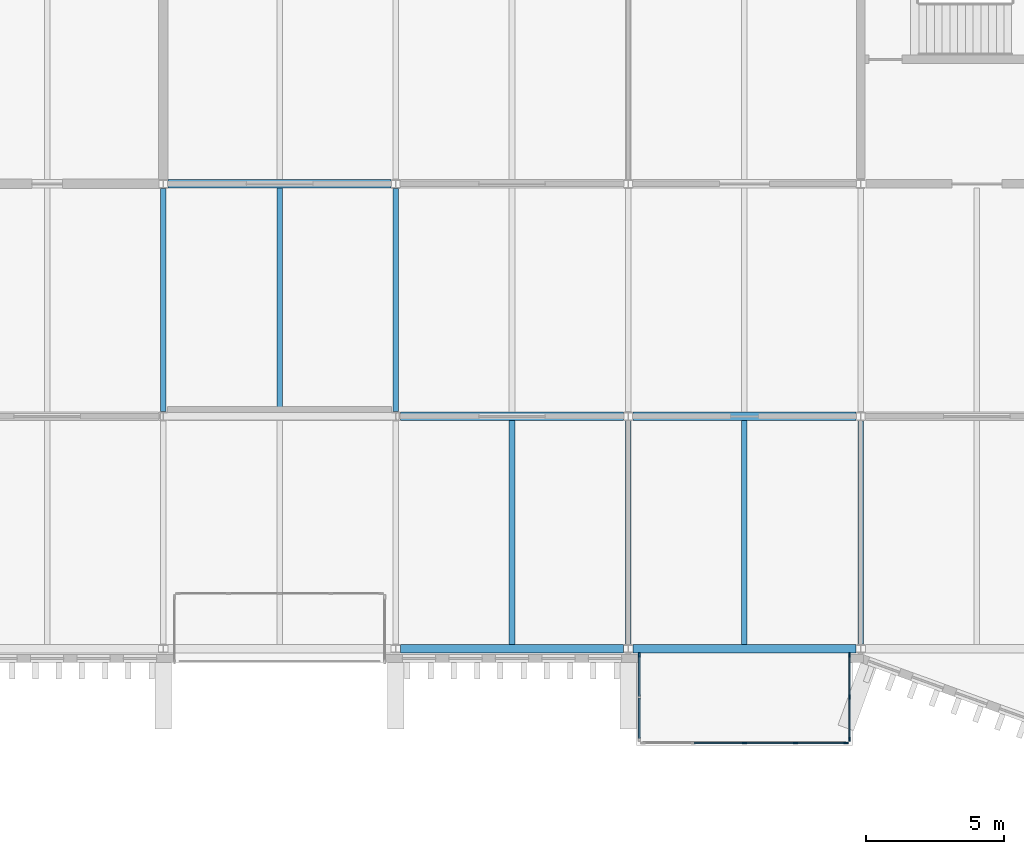
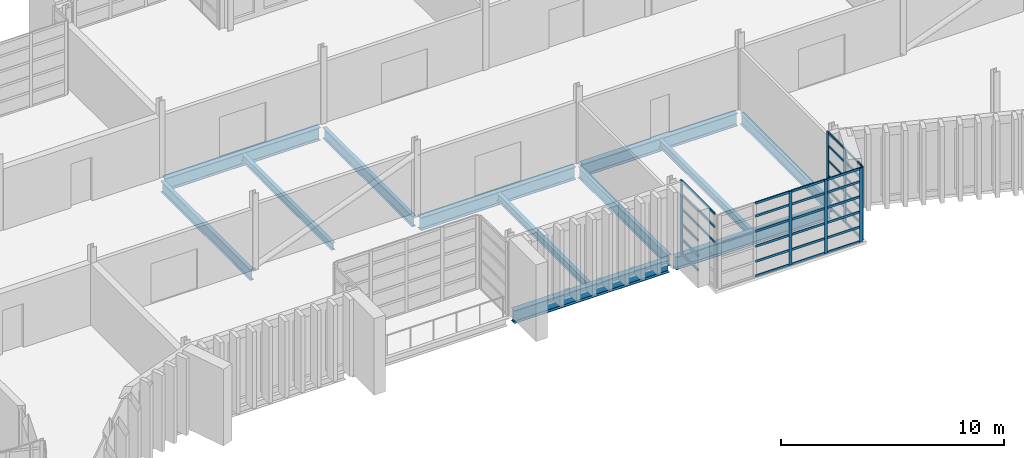
# One storey, part 23 of 100: 46 members, 12 beams, 3 elements without a shape of their own.
"""IFC4 building model written with IfcOpenShell, lengths in metres."""

from ifc_helpers import new_model, si_unit, direction, frame, origin, origin_2d, place, context, subcontext, project, spatial, rectangle, i_section, extrude, material, layer, layer_set, material_profile, profile_set, type_object, element, aggregate, save


model = new_model("IFC4")

# Units and contexts
model_context = context("Model", 3, precision=1e-05, world=origin(), true_north=direction((0.0, 1.0)))
body_context = subcontext(model_context, "Body", "Model", "MODEL_VIEW")
ifc_project = project(units=[si_unit("LENGTHUNIT", "METRE"), si_unit("AREAUNIT", "SQUARE_METRE"), si_unit("VOLUMEUNIT", "CUBIC_METRE"), si_unit("PLANEANGLEUNIT", "RADIAN"), si_unit("MASSUNIT", "GRAM", prefix="KILO")], contexts=[model_context])

# Site, building, storey
site_placement = place(None, origin())
site = spatial("IfcSite", under=ifc_project, at=site_placement, CompositionType="ELEMENT")
building_placement = place(site_placement, origin())
building = spatial("IfcBuilding", under=site, at=building_placement, Name="Cresset Court Congress Hotel", CompositionType="ELEMENT")
storey_placement = place(building_placement, frame((0.0, 0.0, 10.199951171875)))
storey = spatial("IfcBuildingStorey", under=building, at=storey_placement, Name="L02", CompositionType="ELEMENT", Elevation=10.199951171875)

# Curtain wall, members
ifc_material_1 = material(Name="Aluminium frame with double glazing", Category="aluminium")
ifc_layer = layer(ifc_material_1, 0.199951171875)
ifc_layer_set = layer_set([ifc_layer], Name="Glazed box curtain wall 1680 module")
curtain_wall_type = type_object("IfcCurtainWallType", Name="Glazed box curtain wall 1680 module", PredefinedType="NOTDEFINED", material=ifc_layer_set)
curtain_wall_1_placement = place(storey_placement, origin())
curtain_wall_1 = element("IfcCurtainWall", 1, at=curtain_wall_1_placement, inside=storey, type_object=curtain_wall_type, Name="Glazed box S0213 front", PredefinedType="NOTDEFINED")
ifc_material_2 = material(Name="Aluminium", Category="aluminium")
ifc_material_profile_1 = material_profile(ifc_material_2, rectangle(XDim=0.06005859375, YDim=0.159912109375, at=origin_2d()), Name="Box mullion 60x160")
ifc_profile_set_1 = profile_set([ifc_material_profile_1], Name="Aluminium")
member_type_1 = type_object("IfcMemberType", Name="Box mullion 60x160", PredefinedType="MULLION", material=ifc_profile_set_1)
member_1_placement = place(storey_placement, frame((96.60009765625, -3.39990234375, 0.0), z_axis=(0.0, 0.0, 1.0), x_axis=(0.0, 1.0, 0.0)))
member_1 = element("IfcMember", 2, at=member_1_placement, type_object=member_type_1, Name="B-X1 mullion 3", PredefinedType="MULLION", context=body_context, shape_type="SweptSolid", body=[
    extrude(rectangle(XDim=0.06005859375, YDim=0.159912109375, at=origin_2d()), origin(), (0.0, 0.0, 1.0), 4.050048828125),
])
member_2_placement = place(storey_placement, frame((98.449951171875, -3.39990234375, 0.0), z_axis=(0.0, 0.0, 1.0), x_axis=(0.0, 1.0, 0.0)))
member_2 = element("IfcMember", 3, at=member_2_placement, type_object=member_type_1, Name="B-X1 mullion 4", PredefinedType="MULLION", context=body_context, shape_type="SweptSolid", body=[
    extrude(rectangle(XDim=0.06005859375, YDim=0.159912109375, at=origin_2d()), origin(), (0.0, 0.0, 1.0), 4.050048828125),
])
member_3_placement = place(storey_placement, frame((100.27001953125, -3.39990234375, 0.0), z_axis=(0.0, 0.0, 1.0), x_axis=(0.0, 1.0, 0.0)))
member_3 = element("IfcMember", 4, at=member_3_placement, type_object=member_type_1, Name="B-X1 mullion 5", PredefinedType="MULLION", context=body_context, shape_type="SweptSolid", body=[
    extrude(rectangle(XDim=0.06005859375, YDim=0.159912109375, at=origin_2d()), origin(), (0.0, 0.0, 1.0), 4.050048828125),
])

# Curtain wall, member
curtain_wall_2_placement = place(storey_placement, origin())
curtain_wall_2 = element("IfcCurtainWall", 5, at=curtain_wall_2_placement, inside=storey, type_object=curtain_wall_type, Name="Glazed box S0213 side", PredefinedType="NOTDEFINED")
member_4_placement = place(storey_placement, frame((92.800048828125, -0.22998046875, 0.0), z_axis=(0.0, 0.0, 1.0), x_axis=(1.0, 0.0, 0.0)))
member_4 = element("IfcMember", 6, at=member_4_placement, type_object=member_type_1, Name="B-X1 mullion 1", PredefinedType="MULLION", context=body_context, shape_type="SweptSolid", body=[
    extrude(rectangle(XDim=0.06005859375, YDim=0.159912109375, at=origin_2d()), origin(), (0.0, 0.0, 1.0), 4.050048828125),
])

# Curtain wall, members
curtain_wall_3_placement = place(storey_placement, origin())
curtain_wall_3 = element("IfcCurtainWall", 7, at=curtain_wall_3_placement, inside=storey, type_object=curtain_wall_type, Name="Glazed box S0213 side", PredefinedType="NOTDEFINED")
member_5_placement = place(storey_placement, frame((100.39990234375, -0.22998046875, 0.0), z_axis=(0.0, 0.0, 1.0), x_axis=(1.0, 0.0, 0.0)))
member_5 = element("IfcMember", 8, at=member_5_placement, type_object=member_type_1, Name="B-X1 mullion 1", PredefinedType="MULLION", context=body_context, shape_type="SweptSolid", body=[
    extrude(rectangle(XDim=0.06005859375, YDim=0.159912109375, at=origin_2d()), origin(), (0.0, 0.0, 1.0), 4.050048828125),
])
member_6_placement = place(storey_placement, frame((100.39990234375, -1.75, 0.0), z_axis=(0.0, 0.0, 1.0), x_axis=(1.0, 0.0, 0.0)))
member_6 = element("IfcMember", 9, at=member_6_placement, type_object=member_type_1, Name="B-X1 mullion 2", PredefinedType="MULLION", context=body_context, shape_type="SweptSolid", body=[
    extrude(rectangle(XDim=0.06005859375, YDim=0.159912109375, at=origin_2d()), origin(), (0.0, 0.0, 1.0), 4.050048828125),
])
member_7_placement = place(storey_placement, frame((100.39990234375, -3.27001953125, 0.0), z_axis=(0.0, 0.0, 1.0), x_axis=(1.0, 0.0, 0.0)))
member_7 = element("IfcMember", 10, at=member_7_placement, type_object=member_type_1, Name="B-X1 mullion 3", PredefinedType="MULLION", context=body_context, shape_type="SweptSolid", body=[
    extrude(rectangle(XDim=0.06005859375, YDim=0.159912109375, at=origin_2d()), origin(), (0.0, 0.0, 1.0), 4.050048828125),
])

# Member
ifc_material_3 = material(Name="Aluminium", Category="aluminium")
ifc_material_profile_2 = material_profile(ifc_material_3, rectangle(XDim=0.06005859375, YDim=0.1201171875, at=origin_2d()), Name="Box transom 60x120")
ifc_profile_set_2 = profile_set([ifc_material_profile_2], Name="Aluminium")
member_type_2 = type_object("IfcMemberType", Name="Box transom 60x120", PredefinedType="USERDEFINED", material=ifc_profile_set_2)
member_8_placement = place(storey_placement, frame((94.780029296875, -3.39990234375, 0.030029296875), z_axis=(1.0, 0.0, 0.0), x_axis=(0.0, 1.0, 0.0)))
member_8 = element("IfcMember", 11, at=member_8_placement, type_object=member_type_2, Name="B-X1 transom 2.1", ObjectType="TRANSOM", PredefinedType="USERDEFINED", context=body_context, shape_type="SweptSolid", body=[
    extrude(rectangle(XDim=0.06005859375, YDim=0.1201171875, at=origin_2d()), origin(), (0.0, 0.0, 1.0), 1.7900390625),
])

member_9_placement = place(storey_placement, frame((94.780029296875, -3.39990234375, 0.830078125), z_axis=(1.0, 0.0, 0.0), x_axis=(0.0, 1.0, 0.0)))
member_9 = element("IfcMember", 12, at=member_9_placement, type_object=member_type_2, Name="B-X1 transom 2.2", ObjectType="TRANSOM", PredefinedType="USERDEFINED", context=body_context, shape_type="SweptSolid", body=[
    extrude(rectangle(XDim=0.06005859375, YDim=0.1201171875, at=origin_2d()), origin(), (0.0, 0.0, 1.0), 1.7900390625),
])

member_10_placement = place(storey_placement, frame((94.780029296875, -3.39990234375, 1.66015625), z_axis=(1.0, 0.0, 0.0), x_axis=(0.0, 1.0, 0.0)))
member_10 = element("IfcMember", 13, at=member_10_placement, type_object=member_type_2, Name="B-X1 transom 2.3", ObjectType="TRANSOM", PredefinedType="USERDEFINED", context=body_context, shape_type="SweptSolid", body=[
    extrude(rectangle(XDim=0.06005859375, YDim=0.1201171875, at=origin_2d()), origin(), (0.0, 0.0, 1.0), 1.7900390625),
])

member_11_placement = place(storey_placement, frame((94.780029296875, -3.39990234375, 2.489990234375), z_axis=(1.0, 0.0, 0.0), x_axis=(0.0, 1.0, 0.0)))
member_11 = element("IfcMember", 14, at=member_11_placement, type_object=member_type_2, Name="B-X1 transom 2.4", ObjectType="TRANSOM", PredefinedType="USERDEFINED", context=body_context, shape_type="SweptSolid", body=[
    extrude(rectangle(XDim=0.06005859375, YDim=0.1201171875, at=origin_2d()), origin(), (0.0, 0.0, 1.0), 1.7900390625),
])

member_12_placement = place(storey_placement, frame((94.780029296875, -3.39990234375, 3.320068359375), z_axis=(1.0, 0.0, 0.0), x_axis=(0.0, 1.0, 0.0)))
member_12 = element("IfcMember", 15, at=member_12_placement, type_object=member_type_2, Name="B-X1 transom 2.5", ObjectType="TRANSOM", PredefinedType="USERDEFINED", context=body_context, shape_type="SweptSolid", body=[
    extrude(rectangle(XDim=0.06005859375, YDim=0.1201171875, at=origin_2d()), origin(), (0.0, 0.0, 1.0), 1.7900390625),
])

member_13_placement = place(storey_placement, frame((94.780029296875, -3.39990234375, 4.02001953125), z_axis=(1.0, 0.0, 0.0), x_axis=(0.0, 1.0, 0.0)))
member_13 = element("IfcMember", 16, at=member_13_placement, type_object=member_type_2, Name="B-X1 transom 2.6", ObjectType="TRANSOM", PredefinedType="USERDEFINED", context=body_context, shape_type="SweptSolid", body=[
    extrude(rectangle(XDim=0.06005859375, YDim=0.1201171875, at=origin_2d()), origin(), (0.0, 0.0, 1.0), 1.7900390625),
])

member_14_placement = place(storey_placement, frame((96.6298828125, -3.39990234375, 0.030029296875), z_axis=(1.0, 0.0, 0.0), x_axis=(0.0, 1.0, 0.0)))
member_14 = element("IfcMember", 17, at=member_14_placement, type_object=member_type_2, Name="B-X1 transom 3.1", ObjectType="TRANSOM", PredefinedType="USERDEFINED", context=body_context, shape_type="SweptSolid", body=[
    extrude(rectangle(XDim=0.06005859375, YDim=0.1201171875, at=origin_2d()), origin(), (0.0, 0.0, 1.0), 1.7900390625),
])

member_15_placement = place(storey_placement, frame((96.6298828125, -3.39990234375, 0.830078125), z_axis=(1.0, 0.0, 0.0), x_axis=(0.0, 1.0, 0.0)))
member_15 = element("IfcMember", 18, at=member_15_placement, type_object=member_type_2, Name="B-X1 transom 3.2", ObjectType="TRANSOM", PredefinedType="USERDEFINED", context=body_context, shape_type="SweptSolid", body=[
    extrude(rectangle(XDim=0.06005859375, YDim=0.1201171875, at=origin_2d()), origin(), (0.0, 0.0, 1.0), 1.7900390625),
])

member_16_placement = place(storey_placement, frame((96.6298828125, -3.39990234375, 1.66015625), z_axis=(1.0, 0.0, 0.0), x_axis=(0.0, 1.0, 0.0)))
member_16 = element("IfcMember", 19, at=member_16_placement, type_object=member_type_2, Name="B-X1 transom 3.3", ObjectType="TRANSOM", PredefinedType="USERDEFINED", context=body_context, shape_type="SweptSolid", body=[
    extrude(rectangle(XDim=0.06005859375, YDim=0.1201171875, at=origin_2d()), origin(), (0.0, 0.0, 1.0), 1.7900390625),
])

member_17_placement = place(storey_placement, frame((96.6298828125, -3.39990234375, 2.489990234375), z_axis=(1.0, 0.0, 0.0), x_axis=(0.0, 1.0, 0.0)))
member_17 = element("IfcMember", 20, at=member_17_placement, type_object=member_type_2, Name="B-X1 transom 3.4", ObjectType="TRANSOM", PredefinedType="USERDEFINED", context=body_context, shape_type="SweptSolid", body=[
    extrude(rectangle(XDim=0.06005859375, YDim=0.1201171875, at=origin_2d()), origin(), (0.0, 0.0, 1.0), 1.7900390625),
])

member_18_placement = place(storey_placement, frame((96.6298828125, -3.39990234375, 3.320068359375), z_axis=(1.0, 0.0, 0.0), x_axis=(0.0, 1.0, 0.0)))
member_18 = element("IfcMember", 21, at=member_18_placement, type_object=member_type_2, Name="B-X1 transom 3.5", ObjectType="TRANSOM", PredefinedType="USERDEFINED", context=body_context, shape_type="SweptSolid", body=[
    extrude(rectangle(XDim=0.06005859375, YDim=0.1201171875, at=origin_2d()), origin(), (0.0, 0.0, 1.0), 1.7900390625),
])

member_19_placement = place(storey_placement, frame((96.6298828125, -3.39990234375, 4.02001953125), z_axis=(1.0, 0.0, 0.0), x_axis=(0.0, 1.0, 0.0)))
member_19 = element("IfcMember", 22, at=member_19_placement, type_object=member_type_2, Name="B-X1 transom 3.6", ObjectType="TRANSOM", PredefinedType="USERDEFINED", context=body_context, shape_type="SweptSolid", body=[
    extrude(rectangle(XDim=0.06005859375, YDim=0.1201171875, at=origin_2d()), origin(), (0.0, 0.0, 1.0), 1.7900390625),
])

member_20_placement = place(storey_placement, frame((98.47998046875, -3.39990234375, 0.030029296875), z_axis=(1.0, 0.0, 0.0), x_axis=(0.0, 1.0, 0.0)))
member_20 = element("IfcMember", 23, at=member_20_placement, type_object=member_type_2, Name="B-X1 transom 4.1", ObjectType="TRANSOM", PredefinedType="USERDEFINED", context=body_context, shape_type="SweptSolid", body=[
    extrude(rectangle(XDim=0.06005859375, YDim=0.1201171875, at=origin_2d()), origin(), (0.0, 0.0, 1.0), 1.760009765625),
])

member_21_placement = place(storey_placement, frame((98.47998046875, -3.39990234375, 0.830078125), z_axis=(1.0, 0.0, 0.0), x_axis=(0.0, 1.0, 0.0)))
member_21 = element("IfcMember", 24, at=member_21_placement, type_object=member_type_2, Name="B-X1 transom 4.2", ObjectType="TRANSOM", PredefinedType="USERDEFINED", context=body_context, shape_type="SweptSolid", body=[
    extrude(rectangle(XDim=0.06005859375, YDim=0.1201171875, at=origin_2d()), origin(), (0.0, 0.0, 1.0), 1.760009765625),
])

member_22_placement = place(storey_placement, frame((98.47998046875, -3.39990234375, 1.66015625), z_axis=(1.0, 0.0, 0.0), x_axis=(0.0, 1.0, 0.0)))
member_22 = element("IfcMember", 25, at=member_22_placement, type_object=member_type_2, Name="B-X1 transom 4.3", ObjectType="TRANSOM", PredefinedType="USERDEFINED", context=body_context, shape_type="SweptSolid", body=[
    extrude(rectangle(XDim=0.06005859375, YDim=0.1201171875, at=origin_2d()), origin(), (0.0, 0.0, 1.0), 1.760009765625),
])

member_23_placement = place(storey_placement, frame((98.47998046875, -3.39990234375, 2.489990234375), z_axis=(1.0, 0.0, 0.0), x_axis=(0.0, 1.0, 0.0)))
member_23 = element("IfcMember", 26, at=member_23_placement, type_object=member_type_2, Name="B-X1 transom 4.4", ObjectType="TRANSOM", PredefinedType="USERDEFINED", context=body_context, shape_type="SweptSolid", body=[
    extrude(rectangle(XDim=0.06005859375, YDim=0.1201171875, at=origin_2d()), origin(), (0.0, 0.0, 1.0), 1.760009765625),
])

member_24_placement = place(storey_placement, frame((98.47998046875, -3.39990234375, 3.320068359375), z_axis=(1.0, 0.0, 0.0), x_axis=(0.0, 1.0, 0.0)))
member_24 = element("IfcMember", 27, at=member_24_placement, type_object=member_type_2, Name="B-X1 transom 4.5", ObjectType="TRANSOM", PredefinedType="USERDEFINED", context=body_context, shape_type="SweptSolid", body=[
    extrude(rectangle(XDim=0.06005859375, YDim=0.1201171875, at=origin_2d()), origin(), (0.0, 0.0, 1.0), 1.760009765625),
])

member_25_placement = place(storey_placement, frame((98.47998046875, -3.39990234375, 4.02001953125), z_axis=(1.0, 0.0, 0.0), x_axis=(0.0, 1.0, 0.0)))
member_25 = element("IfcMember", 28, at=member_25_placement, type_object=member_type_2, Name="B-X1 transom 4.6", ObjectType="TRANSOM", PredefinedType="USERDEFINED", context=body_context, shape_type="SweptSolid", body=[
    extrude(rectangle(XDim=0.06005859375, YDim=0.1201171875, at=origin_2d()), origin(), (0.0, 0.0, 1.0), 1.760009765625),
])

aggregate(curtain_wall_1, [member_1, member_2, member_3, member_8, member_9, member_10, member_11, member_12, member_13, member_14, member_15, member_16, member_17, member_18, member_19, member_20, member_21, member_22, member_23, member_24, member_25])

member_26_placement = place(storey_placement, frame((92.800048828125, -0.260009765625, 0.030029296875), z_axis=(0.0, -1.0, 0.0), x_axis=(1.0, 0.0, 0.0)))
member_26 = element("IfcMember", 29, at=member_26_placement, type_object=member_type_2, Name="B-X1 transom 1.1", ObjectType="TRANSOM", PredefinedType="USERDEFINED", context=body_context, shape_type="SweptSolid", body=[
    extrude(rectangle(XDim=0.06005859375, YDim=0.1201171875, at=origin_2d()), origin(), (0.0, 0.0, 1.0), 1.4599609375),
])

member_27_placement = place(storey_placement, frame((92.800048828125, -0.260009765625, 0.830078125), z_axis=(0.0, -1.0, 0.0), x_axis=(1.0, 0.0, 0.0)))
member_27 = element("IfcMember", 30, at=member_27_placement, type_object=member_type_2, Name="B-X1 transom 1.2", ObjectType="TRANSOM", PredefinedType="USERDEFINED", context=body_context, shape_type="SweptSolid", body=[
    extrude(rectangle(XDim=0.06005859375, YDim=0.1201171875, at=origin_2d()), origin(), (0.0, 0.0, 1.0), 1.4599609375),
])

member_28_placement = place(storey_placement, frame((92.800048828125, -0.260009765625, 1.66015625), z_axis=(0.0, -1.0, 0.0), x_axis=(1.0, 0.0, 0.0)))
member_28 = element("IfcMember", 31, at=member_28_placement, type_object=member_type_2, Name="B-X1 transom 1.3", ObjectType="TRANSOM", PredefinedType="USERDEFINED", context=body_context, shape_type="SweptSolid", body=[
    extrude(rectangle(XDim=0.06005859375, YDim=0.1201171875, at=origin_2d()), origin(), (0.0, 0.0, 1.0), 1.4599609375),
])

member_29_placement = place(storey_placement, frame((92.800048828125, -0.260009765625, 2.489990234375), z_axis=(0.0, -1.0, 0.0), x_axis=(1.0, 0.0, 0.0)))
member_29 = element("IfcMember", 32, at=member_29_placement, type_object=member_type_2, Name="B-X1 transom 1.4", ObjectType="TRANSOM", PredefinedType="USERDEFINED", context=body_context, shape_type="SweptSolid", body=[
    extrude(rectangle(XDim=0.06005859375, YDim=0.1201171875, at=origin_2d()), origin(), (0.0, 0.0, 1.0), 1.4599609375),
])

member_30_placement = place(storey_placement, frame((92.800048828125, -0.260009765625, 3.320068359375), z_axis=(0.0, -1.0, 0.0), x_axis=(1.0, 0.0, 0.0)))
member_30 = element("IfcMember", 33, at=member_30_placement, type_object=member_type_2, Name="B-X1 transom 1.5", ObjectType="TRANSOM", PredefinedType="USERDEFINED", context=body_context, shape_type="SweptSolid", body=[
    extrude(rectangle(XDim=0.06005859375, YDim=0.1201171875, at=origin_2d()), origin(), (0.0, 0.0, 1.0), 1.4599609375),
])

member_31_placement = place(storey_placement, frame((92.800048828125, -0.260009765625, 4.02001953125), z_axis=(0.0, -1.0, 0.0), x_axis=(1.0, 0.0, 0.0)))
member_31 = element("IfcMember", 34, at=member_31_placement, type_object=member_type_2, Name="B-X1 transom 1.6", ObjectType="TRANSOM", PredefinedType="USERDEFINED", context=body_context, shape_type="SweptSolid", body=[
    extrude(rectangle(XDim=0.06005859375, YDim=0.1201171875, at=origin_2d()), origin(), (0.0, 0.0, 1.0), 1.4599609375),
])

member_32_placement = place(storey_placement, frame((92.800048828125, -1.780029296875, 2.489990234375), z_axis=(0.0, -1.0, 0.0), x_axis=(1.0, 0.0, 0.0)))
member_32 = element("IfcMember", 35, at=member_32_placement, type_object=member_type_2, Name="B-X1 transom 2.4", ObjectType="TRANSOM", PredefinedType="USERDEFINED", context=body_context, shape_type="SweptSolid", body=[
    extrude(rectangle(XDim=0.06005859375, YDim=0.1201171875, at=origin_2d()), origin(), (0.0, 0.0, 1.0), 1.4599609375),
])

member_33_placement = place(storey_placement, frame((92.800048828125, -1.780029296875, 3.320068359375), z_axis=(0.0, -1.0, 0.0), x_axis=(1.0, 0.0, 0.0)))
member_33 = element("IfcMember", 36, at=member_33_placement, type_object=member_type_2, Name="B-X1 transom 2.5", ObjectType="TRANSOM", PredefinedType="USERDEFINED", context=body_context, shape_type="SweptSolid", body=[
    extrude(rectangle(XDim=0.06005859375, YDim=0.1201171875, at=origin_2d()), origin(), (0.0, 0.0, 1.0), 1.4599609375),
])

member_34_placement = place(storey_placement, frame((92.800048828125, -1.780029296875, 4.02001953125), z_axis=(0.0, -1.0, 0.0), x_axis=(1.0, 0.0, 0.0)))
member_34 = element("IfcMember", 37, at=member_34_placement, type_object=member_type_2, Name="B-X1 transom 2.6", ObjectType="TRANSOM", PredefinedType="USERDEFINED", context=body_context, shape_type="SweptSolid", body=[
    extrude(rectangle(XDim=0.06005859375, YDim=0.1201171875, at=origin_2d()), origin(), (0.0, 0.0, 1.0), 1.4599609375),
])

aggregate(curtain_wall_2, [member_4, member_26, member_27, member_28, member_29, member_30, member_31, member_32, member_33, member_34])

member_35_placement = place(storey_placement, frame((100.39990234375, -0.260009765625, 0.030029296875), z_axis=(0.0, -1.0, 0.0), x_axis=(1.0, 0.0, 0.0)))
member_35 = element("IfcMember", 38, at=member_35_placement, type_object=member_type_2, Name="B-X1 transom 1.1", ObjectType="TRANSOM", PredefinedType="USERDEFINED", context=body_context, shape_type="SweptSolid", body=[
    extrude(rectangle(XDim=0.06005859375, YDim=0.1201171875, at=origin_2d()), origin(), (0.0, 0.0, 1.0), 1.4599609375),
])

member_36_placement = place(storey_placement, frame((100.39990234375, -0.260009765625, 0.830078125), z_axis=(0.0, -1.0, 0.0), x_axis=(1.0, 0.0, 0.0)))
member_36 = element("IfcMember", 39, at=member_36_placement, type_object=member_type_2, Name="B-X1 transom 1.2", ObjectType="TRANSOM", PredefinedType="USERDEFINED", context=body_context, shape_type="SweptSolid", body=[
    extrude(rectangle(XDim=0.06005859375, YDim=0.1201171875, at=origin_2d()), origin(), (0.0, 0.0, 1.0), 1.4599609375),
])

member_37_placement = place(storey_placement, frame((100.39990234375, -0.260009765625, 1.66015625), z_axis=(0.0, -1.0, 0.0), x_axis=(1.0, 0.0, 0.0)))
member_37 = element("IfcMember", 40, at=member_37_placement, type_object=member_type_2, Name="B-X1 transom 1.3", ObjectType="TRANSOM", PredefinedType="USERDEFINED", context=body_context, shape_type="SweptSolid", body=[
    extrude(rectangle(XDim=0.06005859375, YDim=0.1201171875, at=origin_2d()), origin(), (0.0, 0.0, 1.0), 1.4599609375),
])

member_38_placement = place(storey_placement, frame((100.39990234375, -0.260009765625, 2.489990234375), z_axis=(0.0, -1.0, 0.0), x_axis=(1.0, 0.0, 0.0)))
member_38 = element("IfcMember", 41, at=member_38_placement, type_object=member_type_2, Name="B-X1 transom 1.4", ObjectType="TRANSOM", PredefinedType="USERDEFINED", context=body_context, shape_type="SweptSolid", body=[
    extrude(rectangle(XDim=0.06005859375, YDim=0.1201171875, at=origin_2d()), origin(), (0.0, 0.0, 1.0), 1.4599609375),
])

member_39_placement = place(storey_placement, frame((100.39990234375, -0.260009765625, 3.320068359375), z_axis=(0.0, -1.0, 0.0), x_axis=(1.0, 0.0, 0.0)))
member_39 = element("IfcMember", 42, at=member_39_placement, type_object=member_type_2, Name="B-X1 transom 1.5", ObjectType="TRANSOM", PredefinedType="USERDEFINED", context=body_context, shape_type="SweptSolid", body=[
    extrude(rectangle(XDim=0.06005859375, YDim=0.1201171875, at=origin_2d()), origin(), (0.0, 0.0, 1.0), 1.4599609375),
])

member_40_placement = place(storey_placement, frame((100.39990234375, -0.260009765625, 4.02001953125), z_axis=(0.0, -1.0, 0.0), x_axis=(1.0, 0.0, 0.0)))
member_40 = element("IfcMember", 43, at=member_40_placement, type_object=member_type_2, Name="B-X1 transom 1.6", ObjectType="TRANSOM", PredefinedType="USERDEFINED", context=body_context, shape_type="SweptSolid", body=[
    extrude(rectangle(XDim=0.06005859375, YDim=0.1201171875, at=origin_2d()), origin(), (0.0, 0.0, 1.0), 1.4599609375),
])

member_41_placement = place(storey_placement, frame((100.39990234375, -1.780029296875, 0.030029296875), z_axis=(0.0, -1.0, 0.0), x_axis=(1.0, 0.0, 0.0)))
member_41 = element("IfcMember", 44, at=member_41_placement, type_object=member_type_2, Name="B-X1 transom 2.1", ObjectType="TRANSOM", PredefinedType="USERDEFINED", context=body_context, shape_type="SweptSolid", body=[
    extrude(rectangle(XDim=0.06005859375, YDim=0.1201171875, at=origin_2d()), origin(), (0.0, 0.0, 1.0), 1.4599609375),
])

member_42_placement = place(storey_placement, frame((100.39990234375, -1.780029296875, 0.830078125), z_axis=(0.0, -1.0, 0.0), x_axis=(1.0, 0.0, 0.0)))
member_42 = element("IfcMember", 45, at=member_42_placement, type_object=member_type_2, Name="B-X1 transom 2.2", ObjectType="TRANSOM", PredefinedType="USERDEFINED", context=body_context, shape_type="SweptSolid", body=[
    extrude(rectangle(XDim=0.06005859375, YDim=0.1201171875, at=origin_2d()), origin(), (0.0, 0.0, 1.0), 1.4599609375),
])

member_43_placement = place(storey_placement, frame((100.39990234375, -1.780029296875, 1.66015625), z_axis=(0.0, -1.0, 0.0), x_axis=(1.0, 0.0, 0.0)))
member_43 = element("IfcMember", 46, at=member_43_placement, type_object=member_type_2, Name="B-X1 transom 2.3", ObjectType="TRANSOM", PredefinedType="USERDEFINED", context=body_context, shape_type="SweptSolid", body=[
    extrude(rectangle(XDim=0.06005859375, YDim=0.1201171875, at=origin_2d()), origin(), (0.0, 0.0, 1.0), 1.4599609375),
])

member_44_placement = place(storey_placement, frame((100.39990234375, -1.780029296875, 2.489990234375), z_axis=(0.0, -1.0, 0.0), x_axis=(1.0, 0.0, 0.0)))
member_44 = element("IfcMember", 47, at=member_44_placement, type_object=member_type_2, Name="B-X1 transom 2.4", ObjectType="TRANSOM", PredefinedType="USERDEFINED", context=body_context, shape_type="SweptSolid", body=[
    extrude(rectangle(XDim=0.06005859375, YDim=0.1201171875, at=origin_2d()), origin(), (0.0, 0.0, 1.0), 1.4599609375),
])

member_45_placement = place(storey_placement, frame((100.39990234375, -1.780029296875, 3.320068359375), z_axis=(0.0, -1.0, 0.0), x_axis=(1.0, 0.0, 0.0)))
member_45 = element("IfcMember", 48, at=member_45_placement, type_object=member_type_2, Name="B-X1 transom 2.5", ObjectType="TRANSOM", PredefinedType="USERDEFINED", context=body_context, shape_type="SweptSolid", body=[
    extrude(rectangle(XDim=0.06005859375, YDim=0.1201171875, at=origin_2d()), origin(), (0.0, 0.0, 1.0), 1.4599609375),
])

member_46_placement = place(storey_placement, frame((100.39990234375, -1.780029296875, 4.02001953125), z_axis=(0.0, -1.0, 0.0), x_axis=(1.0, 0.0, 0.0)))
member_46 = element("IfcMember", 49, at=member_46_placement, type_object=member_type_2, Name="B-X1 transom 2.6", ObjectType="TRANSOM", PredefinedType="USERDEFINED", context=body_context, shape_type="SweptSolid", body=[
    extrude(rectangle(XDim=0.06005859375, YDim=0.1201171875, at=origin_2d()), origin(), (0.0, 0.0, 1.0), 1.4599609375),
])

aggregate(curtain_wall_3, [member_5, member_6, member_7, member_35, member_36, member_37, member_38, member_39, member_40, member_41, member_42, member_43, member_44, member_45, member_46])

# Beams
ifc_material_4 = material(Name="Structural steel Q355B", Category="steel")
ifc_material_profile_3 = material_profile(ifc_material_4, i_section(OverallWidth=0.199951171875, OverallDepth=0.60009765625, WebThickness=0.010986328125, FlangeThickness=0.01708984375, FilletRadius=0.012939453125, at=origin_2d()), Name="HN600x200x11x17")
ifc_profile_set_3 = profile_set([ifc_material_profile_3], Name="Structural steel Q355B")
beam_type_1 = type_object("IfcBeamType", Name="Steel beam HN600x200x11x17", PredefinedType="BEAM", material=ifc_profile_set_3)
for number, where, z_axis, x_axis, name in (
    (50, (75.60009765625, 8.574951171875, -0.449951171875), (0.0, 1.0, 0.0), (-1.0, 0.0, 0.0), "B.by.L02.10B"),
    (51, (84.0, 8.574951171875, -0.449951171875), (0.0, 1.0, 0.0), (-1.0, 0.0, 0.0), "B.by.L02.11B"),
    (52, (92.39990234375, 0.175048828125, -0.449951171875), (0.0, 1.0, 0.0), (-1.0, 0.0, 0.0), "B.by.L02.12A"),
    (53, (100.800048828125, 0.175048828125, -0.449951171875), (0.0, 1.0, 0.0), (-1.0, 0.0, 0.0), "B.by.L02.13A"),
):
    element("IfcBeam", number, at=place(storey_placement, frame(where, z_axis=z_axis, x_axis=x_axis)), inside=storey, type_object=beam_type_1, Name=name, PredefinedType="BEAM", context=body_context, shape_type="SweptSolid", body=[
        extrude(i_section(OverallWidth=0.199951171875, OverallDepth=0.60009765625, WebThickness=0.010986328125, FlangeThickness=0.01708984375, FilletRadius=0.012939453125, at=origin_2d()), origin(), (0.0, 0.0, 1.0), 8.050048828125),
    ])
ifc_material_5 = material(Name="Structural steel Q355B", Category="steel")
ifc_material_profile_4 = material_profile(ifc_material_5, i_section(OverallWidth=0.300048828125, OverallDepth=0.699951171875, WebThickness=0.012939453125, FlangeThickness=0.02392578125, FilletRadius=0.01806640625, at=origin_2d()), Name="HN700x300x13x24")
ifc_profile_set_4 = profile_set([ifc_material_profile_4], Name="Structural steel Q355B")
beam_type_2 = type_object("IfcBeamType", Name="Steel beam HN700x300x13x24", PredefinedType="BEAM", material=ifc_profile_set_4)
for number, where, z_axis, x_axis, name in (
    (54, (84.175048828125, 0.0, -0.5), (1.0, 0.0, 0.0), (0.0, 1.0, 0.0), "B.bx.L02.A11"),
    (55, (92.574951171875, 0.0, -0.5), (1.0, 0.0, 0.0), (0.0, 1.0, 0.0), "B.bx.L02.A12"),
    (56, (84.175048828125, 8.39990234375, -0.5), (1.0, 0.0, 0.0), (0.0, 1.0, 0.0), "B.bx.L02.B11"),
    (57, (92.574951171875, 8.39990234375, -0.5), (1.0, 0.0, 0.0), (0.0, 1.0, 0.0), "B.bx.L02.B12"),
    (58, (75.77490234375, 16.800048828125, -0.5), (1.0, 0.0, 0.0), (0.0, 1.0, 0.0), "B.bx.L02.C10"),
):
    element("IfcBeam", number, at=place(storey_placement, frame(where, z_axis=z_axis, x_axis=x_axis)), inside=storey, type_object=beam_type_2, Name=name, PredefinedType="BEAM", context=body_context, shape_type="SweptSolid", body=[
        extrude(i_section(OverallWidth=0.300048828125, OverallDepth=0.699951171875, WebThickness=0.012939453125, FlangeThickness=0.02392578125, FilletRadius=0.01806640625, at=origin_2d()), origin(), (0.0, 0.0, 1.0), 8.050048828125),
    ])
ifc_material_6 = material(Name="Structural steel Q355B", Category="steel")
ifc_material_profile_5 = material_profile(ifc_material_6, i_section(OverallWidth=0.199951171875, OverallDepth=0.39990234375, WebThickness=0.008056640625, FlangeThickness=0.012939453125, FilletRadius=0.01611328125, at=origin_2d()), Name="HN400x200x8x13")
ifc_profile_set_5 = profile_set([ifc_material_profile_5], Name="Structural steel Q355B")
beam_type_3 = type_object("IfcBeamType", Name="Steel joist HN400x200x8x13", PredefinedType="JOIST", material=ifc_profile_set_5)
beam_placement = place(storey_placement, frame((79.800048828125, 8.550048828125, -0.349853515625), z_axis=(0.0, 1.0, 0.0), x_axis=(-1.0, 0.0, 0.0)))
element("IfcBeam", 59, at=beam_placement, inside=storey, type_object=beam_type_3, Name="B.bj.L02.10B", PredefinedType="JOIST", context=body_context, shape_type="SweptSolid", body=[
    extrude(i_section(OverallWidth=0.199951171875, OverallDepth=0.39990234375, WebThickness=0.008056640625, FlangeThickness=0.012939453125, FilletRadius=0.01611328125, at=origin_2d()), origin(), (0.0, 0.0, 1.0), 8.099853515625),
])
for number, where, z_axis, x_axis, name in (
    (60, (88.199951171875, 0.14990234375, -0.349853515625), (0.0, 1.0, 0.0), (-1.0, 0.0, 0.0), "B.bj.L02.11A"),
    (61, (96.60009765625, 0.14990234375, -0.349853515625), (0.0, 1.0, 0.0), (-1.0, 0.0, 0.0), "B.bj.L02.12A"),
):
    element("IfcBeam", number, at=place(storey_placement, frame(where, z_axis=z_axis, x_axis=x_axis)), inside=storey, type_object=beam_type_3, Name=name, PredefinedType="JOIST", context=body_context, shape_type="SweptSolid", body=[
        extrude(i_section(OverallWidth=0.199951171875, OverallDepth=0.39990234375, WebThickness=0.008056640625, FlangeThickness=0.012939453125, FilletRadius=0.01611328125, at=origin_2d()), origin(), (0.0, 0.0, 1.0), 8.10009765625),
    ])

save(model, "model.ifc")
